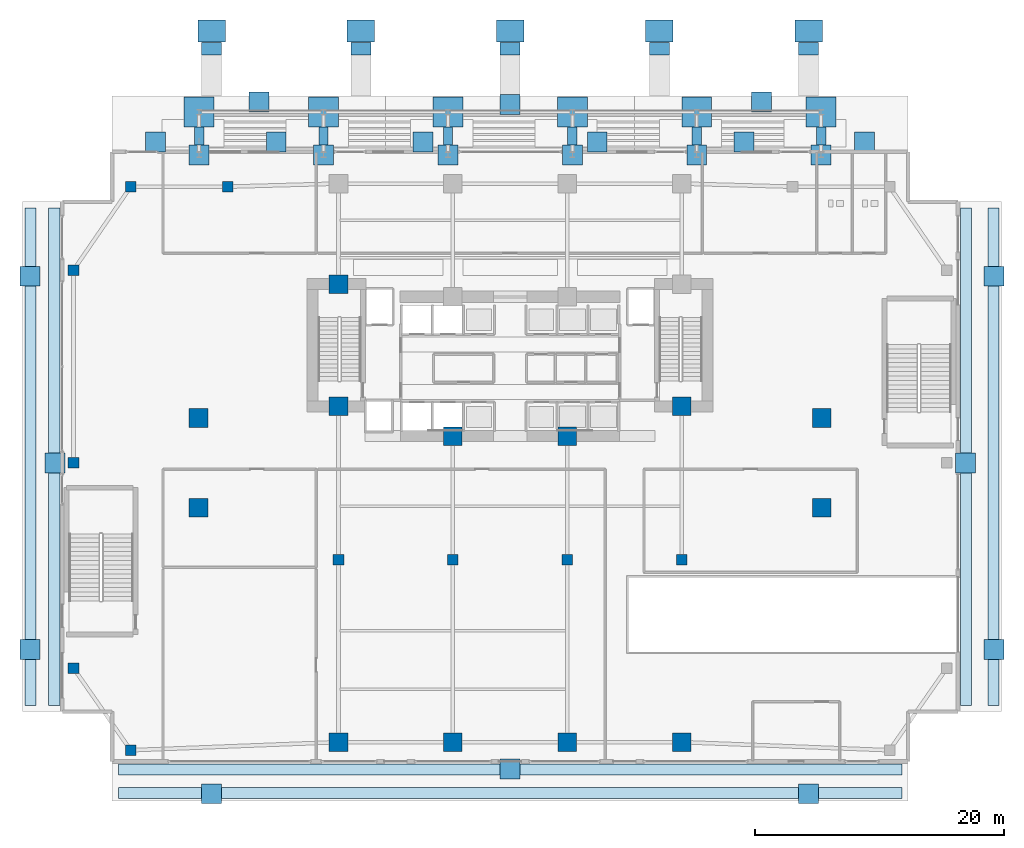
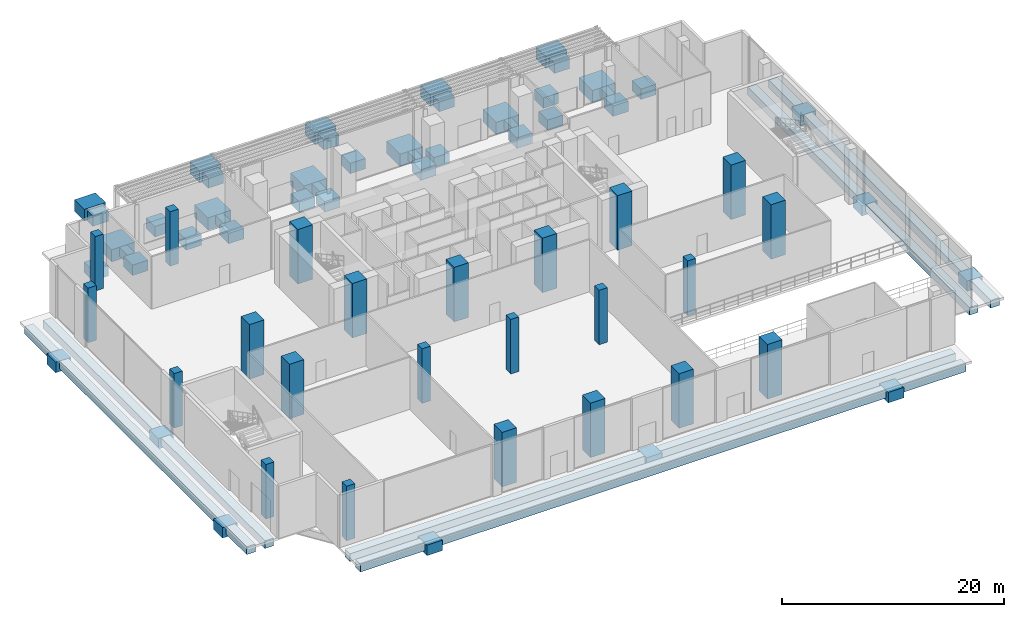
# One storey, part 1 of 39: 52 footings, 23 columns.
"""IFC4 building model written with IfcOpenShell, lengths in metres."""

import ifcopenshell
import ifcopenshell.guid

model = None  # the IFC model being written
_history = None  # IfcOwnerHistory: only IFC2X3 demands one
_inside = {}  # id of a spatial element -> (the spatial element, [elements in it])
_under = {}  # id of a project, library or spatial element -> (it, [spatial elements below it])
_declared = {}  # id of a project -> (the project, [libraries it declares])
_typed = {}  # id of a type object -> (the type object, [elements of that type])
_made_of = {}  # id of a material, layer set ... -> (it, [elements and type objects made of it])


def new_model(schema):
    """Start an empty IFC model of exactly this schema.

    Asked for "IFC4X3", IfcOpenShell would pick the latest addendum, in which some entities
    have other attributes; the version numbers below select the first issue.
    IFC2X3 requires an IfcOwnerHistory on every rooted entity: one is made here for all.
    """
    global model, _history
    if schema == "IFC4X3":
        model = ifcopenshell.file(schema_version=(4, 3, 0, 0))
    else:
        model = ifcopenshell.file(schema=schema)
    _inside.clear()
    _under.clear()
    _declared.clear()
    _typed.clear()
    _made_of.clear()
    _history = None
    if model.schema == "IFC2X3":
        org = make("IfcOrganization", Name="unknown")
        user = make(
            "IfcPersonAndOrganization",
            ThePerson=make("IfcPerson", FamilyName="unknown"),
            TheOrganization=org,
        )
        app = make(
            "IfcApplication",
            ApplicationDeveloper=org,
            Version="unknown",
            ApplicationFullName="unknown",
            ApplicationIdentifier="unknown",
        )
        _history = make(
            "IfcOwnerHistory",
            OwningUser=user,
            OwningApplication=app,
            ChangeAction="ADDED",
            CreationDate=0,
        )
    return model


def make(cls, **values):
    """One entity of the class cls with the attributes given. An attribute that is None is left unset."""
    return model.create_entity(
        cls, **{name: value for name, value in values.items() if value is not None}
    )


def rooted(cls, **values):
    """An entity with a GlobalId (a new one), such as an element, a storey or a relation."""
    return make(cls, GlobalId=ifcopenshell.guid.new(), OwnerHistory=_history, **values)


def si_unit(unit_type, name, prefix=None):
    """IfcSIUnit, for example si_unit("LENGTHUNIT", "METRE", prefix="MILLI")."""
    return make("IfcSIUnit", UnitType=unit_type, Prefix=prefix, Name=name)


def assignment(units):
    """IfcUnitAssignment: the units of a project."""
    return None if units is None else make("IfcUnitAssignment", Units=units)


def point(xyz):
    """IfcCartesianPoint."""
    return None if xyz is None else make("IfcCartesianPoint", Coordinates=xyz)


def direction(xyz):
    """IfcDirection."""
    return None if xyz is None else make("IfcDirection", DirectionRatios=xyz)


def frame(location, z_axis=None, x_axis=None):
    """IfcAxis2Placement3D, a coordinate frame: its origin and axes. An axis left out is left unset."""
    return make(
        "IfcAxis2Placement3D",
        Location=point(location),
        Axis=direction(z_axis),
        RefDirection=direction(x_axis),
    )


def frame_2d(location, x_axis=None):
    """IfcAxis2Placement2D, a coordinate frame in the plane: its origin and x axis."""
    return make(
        "IfcAxis2Placement2D", Location=point(location), RefDirection=direction(x_axis)
    )


def origin():
    """The frame at (0, 0, 0) with its axes left unset."""
    return frame((0.0, 0.0, 0.0))


def origin_2d():
    """The frame at (0, 0) in the plane with its x axis left unset."""
    return frame_2d((0.0, 0.0))


def place(relative_to, where):
    """IfcLocalPlacement: puts the frame where relative to a parent placement (None: the world)."""
    return make(
        "IfcLocalPlacement", PlacementRelTo=relative_to, RelativePlacement=where
    )


def context(
    kind, dimensions, precision=None, world=None, true_north=None, identifier=None
):
    """IfcGeometricRepresentationContext, for example the 3D "Model" context."""
    return make(
        "IfcGeometricRepresentationContext",
        ContextIdentifier=identifier,
        ContextType=kind,
        CoordinateSpaceDimension=dimensions,
        Precision=precision,
        WorldCoordinateSystem=world,
        TrueNorth=true_north,
    )


def subcontext(parent, identifier, kind, view, scale=None):
    """IfcGeometricRepresentationSubContext, for example "Body" below "Model"."""
    return make(
        "IfcGeometricRepresentationSubContext",
        ContextIdentifier=identifier,
        ContextType=kind,
        ParentContext=parent,
        TargetScale=scale,
        TargetView=view,
    )


def project(units=None, contexts=None):
    """IfcProject with its units and contexts."""
    return rooted(
        "IfcProject",
        Name="project",
        RepresentationContexts=contexts,
        UnitsInContext=assignment(units),
    )


def spatial(cls, under=None, at=None, **own):
    """A site, building, storey or space (cls), placed at a placement, below another one or the project."""
    s = rooted(cls, ObjectPlacement=at, **own)
    if under is not None:
        _under.setdefault(under.id(), (under, []))[1].append(s)
    return s


def polyline(points):
    """IfcPolyline through the points."""
    return make("IfcPolyline", Points=[point(p) for p in points])


def profile(cls, at=None, kind="AREA", **sizes):
    """A parametric profile (cls). Its sizes go by their IFC names, for example OverallWidth=200.0."""
    return make(cls, ProfileType=kind, Position=at, **sizes)


def rectangle(**sizes):
    """IfcRectangleProfileDef."""
    return profile("IfcRectangleProfileDef", **sizes)


def outline(outer, holes=None, kind="AREA"):
    """IfcArbitraryClosedProfileDef: a profile drawn as a closed curve; with holes, ...WithVoids."""
    if holes is None:
        return make("IfcArbitraryClosedProfileDef", ProfileType=kind, OuterCurve=outer)
    return make(
        "IfcArbitraryProfileDefWithVoids",
        ProfileType=kind,
        OuterCurve=outer,
        InnerCurves=holes,
    )


def extrude(swept, where, along, depth):
    """IfcExtrudedAreaSolid: the profile swept, set in the frame where, extruded along a direction by depth."""
    return make(
        "IfcExtrudedAreaSolid",
        SweptArea=swept,
        Position=where,
        ExtrudedDirection=direction(along),
        Depth=depth,
    )


def shape(context_of_items, identifier, shape_type, items):
    """IfcShapeRepresentation: the items that make up one representation, for example the "Body"."""
    return make(
        "IfcShapeRepresentation",
        ContextOfItems=context_of_items,
        RepresentationIdentifier=identifier,
        RepresentationType=shape_type,
        Items=items,
    )


def material(Name=None, Category=None):
    """IfcMaterial."""
    return make("IfcMaterial", Name=Name, Category=Category)


def layer(
    of_material, thickness, ventilated=None, Name=None, Category=None, Priority=None
):
    """IfcMaterialLayer: one layer of a wall or slab, of a material (None: an air gap)."""
    return make(
        "IfcMaterialLayer",
        Material=of_material,
        LayerThickness=thickness,
        IsVentilated=ventilated,
        Name=Name,
        Category=Category,
        Priority=Priority,
    )


def layer_set(layers, Name=None):
    """IfcMaterialLayerSet."""
    return make("IfcMaterialLayerSet", MaterialLayers=layers, LayerSetName=Name)


def material_profile(
    of_material, cross_section, Name=None, Category=None, Priority=None
):
    """IfcMaterialProfile: a cross section and its material."""
    return make(
        "IfcMaterialProfile",
        Name=Name,
        Material=of_material,
        Profile=cross_section,
        Priority=Priority,
        Category=Category,
    )


def profile_set(profiles, Name=None, composite=None):
    """IfcMaterialProfileSet."""
    return make(
        "IfcMaterialProfileSet",
        Name=Name,
        MaterialProfiles=profiles,
        CompositeProfile=composite,
    )


def made_of(thing, what):
    """Note that an element or type object is made of a material, layer set ...; save() writes the relation."""
    if what is not None:
        _made_of.setdefault(what.id(), (what, []))[1].append(thing)
    return thing


def type_object(cls, material=None, **own):
    """A type object (cls), such as IfcWallType, which elements share."""
    return made_of(rooted(cls, **own), material)


def element(
    cls,
    number,
    at=None,
    inside=None,
    cuts=None,
    type_object=None,
    material=None,
    context=None,
    identifier="Body",
    shape_type=None,
    held_by="IfcProductDefinitionShape",
    body=None,
    shapes=None,
    **own,
):
    """One element of the class cls, such as IfcWall. Its Tag is "e" and its number.

    at: its placement. inside: the storey or other place that contains it. cuts: it is an
    opening in that element (IfcRelVoidsElement). A single representation is given by context,
    identifier, shape_type and body (its items); several are given by shapes. held_by: the class
    of the entity that holds the representations. save() writes the other relations.
    """
    e = rooted(cls, Tag="e%d" % number, ObjectPlacement=at, **own)
    if body is not None:
        shapes = [shape(context, identifier, shape_type, body)]
    if shapes is not None:
        e.Representation = make(held_by, Representations=shapes)
    if inside is not None:
        _inside.setdefault(inside.id(), (inside, []))[1].append(e)
    if cuts is not None:
        rooted(
            "IfcRelVoidsElement", RelatingBuildingElement=cuts, RelatedOpeningElement=e
        )
    if type_object is not None:
        _typed.setdefault(type_object.id(), (type_object, []))[1].append(e)
    return made_of(e, material)


def aggregate(whole, parts):
    """IfcRelAggregates: a whole, such as a stair, and the parts it consists of."""
    return rooted("IfcRelAggregates", RelatingObject=whole, RelatedObjects=parts)


def save(model, path):
    """Write the relations noted so far, then the file.

    IfcRelAggregates (storeys below a building ...), IfcRelContainedInSpatialStructure (elements
    in a storey), IfcRelDefinesByType, IfcRelAssociatesMaterial and IfcRelDeclares: one each for
    every whole, place, type object, material and project.
    """
    for whole, parts in _under.values():
        aggregate(whole, parts)
    for where, things in _inside.values():
        rooted(
            "IfcRelContainedInSpatialStructure",
            RelatedElements=things,
            RelatingStructure=where,
        )
    for kind, things in _typed.values():
        rooted("IfcRelDefinesByType", RelatedObjects=things, RelatingType=kind)
    for what, things in _made_of.values():
        rooted("IfcRelAssociatesMaterial", RelatedObjects=things, RelatingMaterial=what)
    for by, libraries in _declared.values():
        rooted("IfcRelDeclares", RelatingContext=by, RelatedDefinitions=libraries)
    model.write(path)


model = new_model("IFC4")

# Units and contexts
model_context = context("Model", 3, precision=1e-05, world=origin(), true_north=direction((0.0, 1.0)))
body_context = subcontext(model_context, "Body", "Model", "MODEL_VIEW")
ifc_project = project(units=[si_unit("LENGTHUNIT", "METRE"), si_unit("AREAUNIT", "SQUARE_METRE"), si_unit("VOLUMEUNIT", "CUBIC_METRE"), si_unit("PLANEANGLEUNIT", "RADIAN"), si_unit("MASSUNIT", "GRAM", prefix="KILO")], contexts=[model_context])

# Site, building, storey
site_placement = place(None, origin())
site = spatial("IfcSite", under=ifc_project, at=site_placement, CompositionType="ELEMENT")
building_placement = place(site_placement, origin())
building = spatial("IfcBuilding", under=site, at=building_placement, Name="Zuhayl Quay Hotel", CompositionType="ELEMENT")
storey_placement = place(building_placement, origin())
storey = spatial("IfcBuildingStorey", under=building, at=storey_placement, Name="L00", CompositionType="ELEMENT", Elevation=0.0)

# Footings
ifc_material_1 = material(Name="Concrete C50/60", Category="concrete")
footing_type_1 = type_object("IfcFootingType", Name="FT_GBEAM_750X1000", PredefinedType="FOOTING_BEAM", material=ifc_material_1)
footing_1_placement = place(storey_placement, frame((0.0, 0.0, -1.27001953125)))
element("IfcFooting", 1, at=footing_1_placement, inside=storey, type_object=footing_type_1, Name="Colonnade Tie Ground Beam FB2-01", PredefinedType="FOOTING_BEAM", context=body_context, shape_type="SweptSolid", body=[
    extrude(outline(polyline([(-25.375, 25.550048828125), (-24.625, 25.550048828125), (-24.625, 27.0), (-25.375, 27.0), (-25.375, 25.550048828125)])), origin(), (0.0, 0.0, 1.0), 1.0),
])
footing_2_placement = place(storey_placement, frame((0.0, 0.0, -1.27001953125)))
element("IfcFooting", 2, at=footing_2_placement, inside=storey, type_object=footing_type_1, Name="Colonnade Tie Ground Beam FB2-02", PredefinedType="FOOTING_BEAM", context=body_context, shape_type="SweptSolid", body=[
    extrude(outline(polyline([(-15.375, 25.550048828125), (-14.625, 25.550048828125), (-14.625, 27.0), (-15.375, 27.0), (-15.375, 25.550048828125)])), origin(), (0.0, 0.0, 1.0), 1.0),
])
footing_3_placement = place(storey_placement, frame((0.0, 0.0, -1.27001953125)))
element("IfcFooting", 3, at=footing_3_placement, inside=storey, type_object=footing_type_1, Name="Colonnade Tie Ground Beam FB2-03", PredefinedType="FOOTING_BEAM", context=body_context, shape_type="SweptSolid", body=[
    extrude(outline(polyline([(-5.375, 25.550048828125), (-4.625, 25.550048828125), (-4.625, 27.0), (-5.375, 27.0), (-5.375, 25.550048828125)])), origin(), (0.0, 0.0, 1.0), 1.0),
])
footing_4_placement = place(storey_placement, frame((0.0, 0.0, -1.27001953125)))
element("IfcFooting", 4, at=footing_4_placement, inside=storey, type_object=footing_type_1, Name="Colonnade Tie Ground Beam FB2-04", PredefinedType="FOOTING_BEAM", context=body_context, shape_type="SweptSolid", body=[
    extrude(outline(polyline([(4.625, 25.550048828125), (5.375, 25.550048828125), (5.375, 27.0), (4.625, 27.0), (4.625, 25.550048828125)])), origin(), (0.0, 0.0, 1.0), 1.0),
])
footing_5_placement = place(storey_placement, frame((0.0, 0.0, -1.27001953125)))
element("IfcFooting", 5, at=footing_5_placement, inside=storey, type_object=footing_type_1, Name="Colonnade Tie Ground Beam FB2-05", PredefinedType="FOOTING_BEAM", context=body_context, shape_type="SweptSolid", body=[
    extrude(outline(polyline([(14.625, 25.550048828125), (15.375, 25.550048828125), (15.375, 27.0), (14.625, 27.0), (14.625, 25.550048828125)])), origin(), (0.0, 0.0, 1.0), 1.0),
])
footing_6_placement = place(storey_placement, frame((0.0, 0.0, -1.27001953125)))
element("IfcFooting", 6, at=footing_6_placement, inside=storey, type_object=footing_type_1, Name="Colonnade Tie Ground Beam FB2-06", PredefinedType="FOOTING_BEAM", context=body_context, shape_type="SweptSolid", body=[
    extrude(outline(polyline([(24.625, 25.550048828125), (25.375, 25.550048828125), (25.375, 27.0), (24.625, 27.0), (24.625, 25.550048828125)])), origin(), (0.0, 0.0, 1.0), 1.0),
])
ifc_material_2 = material(Name="Concrete C60/75", Category="concrete")
ifc_layer_1 = layer(ifc_material_2, 1.14990234375, Name="Concrete C60/75", Category="concrete")
ifc_layer_set_1 = layer_set([ifc_layer_1], Name="Concrete C60/75")
footing_type_2 = type_object("IfcFootingType", Name="FT_PAD_1600", PredefinedType="PAD_FOOTING", material=ifc_layer_set_1)
for number, where, z_axis, x_axis, name in (
    (7, (-25.0, 24.75, -1.419921875), (0.0, 0.0, 1.0), (1.0, 0.0, 0.0), "Waterfront Pilaster Pad Footing PF1-01"),
    (8, (-15.0, 24.75, -1.419921875), (0.0, 0.0, 1.0), (1.0, 0.0, 0.0), "Waterfront Pilaster Pad Footing PF1-02"),
    (9, (-5.0, 24.75, -1.419921875), (0.0, 0.0, 1.0), (1.0, 0.0, 0.0), "Waterfront Pilaster Pad Footing PF1-03"),
    (10, (5.0, 24.75, -1.419921875), (0.0, 0.0, 1.0), (1.0, 0.0, 0.0), "Waterfront Pilaster Pad Footing PF1-04"),
    (11, (15.0, 24.75, -1.419921875), (0.0, 0.0, 1.0), (1.0, 0.0, 0.0), "Waterfront Pilaster Pad Footing PF1-05"),
    (12, (25.0, 24.75, -1.419921875), (0.0, 0.0, 1.0), (1.0, 0.0, 0.0), "Waterfront Pilaster Pad Footing PF1-06"),
    (13, (-28.5, 25.800048828125, -1.419921875), (0.0, 0.0, 1.0), (1.0, 0.0, 0.0), "Promenade Apron Support Pad APF_NW1"),
    (14, (-18.800048828125, 25.800048828125, -1.419921875), (0.0, 0.0, 1.0), (1.0, 0.0, 0.0), "Promenade Apron Support Pad APF_NW2"),
    (15, (-20.199951171875, 29.0, -1.419921875), (0.0, 0.0, 1.0), (1.0, 0.0, 0.0), "Promenade Apron Support Pad APF_NW3"),
    (16, (-7.0, 25.800048828125, -1.419921875), (0.0, 0.0, 1.0), (1.0, 0.0, 0.0), "Promenade Apron Support Pad APF_NC1"),
    (17, (7.0, 25.800048828125, -1.419921875), (0.0, 0.0, 1.0), (1.0, 0.0, 0.0), "Promenade Apron Support Pad APF_NC2"),
    (18, (0.0, 28.800048828125, -1.419921875), (0.0, 0.0, 1.0), (1.0, 0.0, 0.0), "Promenade Apron Support Pad APF_NC3"),
    (19, (18.800048828125, 25.800048828125, -1.419921875), (0.0, 0.0, 1.0), (1.0, 0.0, 0.0), "Promenade Apron Support Pad APF_NE1"),
    (20, (28.5, 25.800048828125, -1.419921875), (0.0, 0.0, 1.0), (1.0, 0.0, 0.0), "Promenade Apron Support Pad APF_NE2"),
    (21, (20.199951171875, 29.0, -1.419921875), (0.0, 0.0, 1.0), (1.0, 0.0, 0.0), "Promenade Apron Support Pad APF_NE3"),
    (22, (-24.0, -26.60009765625, -1.419921875), (0.0, 0.0, 1.0), (1.0, 0.0, 0.0), "Promenade Apron Support Pad APF_S1"),
    (23, (24.0, -26.60009765625, -1.419921875), (0.0, 0.0, 1.0), (1.0, 0.0, 0.0), "Promenade Apron Support Pad APF_S2"),
    (24, (0.0, -24.60009765625, -1.419921875), (0.0, 0.0, 1.0), (1.0, 0.0, 0.0), "Promenade Apron Support Pad APF_S3"),
    (25, (-38.60009765625, -15.0, -1.419921875), (0.0, 0.0, 1.0), (1.0, 0.0, 0.0), "Promenade Apron Support Pad APF_W1"),
    (26, (-38.60009765625, 15.0, -1.419921875), (0.0, 0.0, 1.0), (1.0, 0.0, 0.0), "Promenade Apron Support Pad APF_W2"),
    (27, (-36.60009765625, 0.0, -1.419921875), (0.0, 0.0, 1.0), (1.0, 0.0, 0.0), "Promenade Apron Support Pad APF_W3"),
    (28, (38.89990234375, -15.0, -1.419921875), (0.0, 0.0, 1.0), (1.0, 0.0, 0.0), "Promenade Apron Support Pad APF_E1"),
    (29, (38.89990234375, 15.0, -1.419921875), (0.0, 0.0, 1.0), (1.0, 0.0, 0.0), "Promenade Apron Support Pad APF_E2"),
    (30, (36.60009765625, 0.0, -1.419921875), (0.0, 0.0, 1.0), (1.0, 0.0, 0.0), "Promenade Apron Support Pad APF_E3"),
):
    element("IfcFooting", number, at=place(storey_placement, frame(where, z_axis=z_axis, x_axis=x_axis)), inside=storey, type_object=footing_type_2, Name=name, PredefinedType="PAD_FOOTING", context=body_context, shape_type="SweptSolid", body=[
        extrude(rectangle(XDim=1.60009765625, YDim=1.60009765625, at=origin_2d()), origin(), (0.0, 0.0, 1.0), 1.14990234375),
    ])
for number, where, z_axis, x_axis, name in (
    (31, (-24.0, 33.300048828125, -1.71484375), (0.0, 0.0, 1.0), (1.0, 0.0, 0.0), "Promenade Ramp Heel Support Pad AR1"),
    (32, (-12.0, 33.300048828125, -1.71484375), (0.0, 0.0, 1.0), (1.0, 0.0, 0.0), "Promenade Ramp Heel Support Pad AR2"),
    (33, (0.0, 33.300048828125, -1.71484375), (0.0, 0.0, 1.0), (1.0, 0.0, 0.0), "Promenade Ramp Heel Support Pad AR3"),
    (34, (12.0, 33.300048828125, -1.71484375), (0.0, 0.0, 1.0), (1.0, 0.0, 0.0), "Promenade Ramp Heel Support Pad AR4"),
    (35, (24.0, 33.300048828125, -1.71484375), (0.0, 0.0, 1.0), (1.0, 0.0, 0.0), "Promenade Ramp Heel Support Pad AR5"),
):
    element("IfcFooting", number, at=place(storey_placement, frame(where, z_axis=z_axis, x_axis=x_axis)), inside=storey, type_object=footing_type_2, Name=name, PredefinedType="PAD_FOOTING", context=body_context, shape_type="SweptSolid", body=[
        extrude(rectangle(XDim=1.60009765625, YDim=1.0, at=origin_2d()), origin(), (0.0, 0.0, 1.0), 1.14990234375),
    ])
ifc_layer_2 = layer(ifc_material_2, 1.35009765625, Name="Concrete C60/75", Category="concrete")
ifc_layer_set_2 = layer_set([ifc_layer_2], Name="Concrete C60/75")
footing_type_3 = type_object("IfcFootingType", Name="FT_PCAP_2400", PredefinedType="PILE_CAP", material=ifc_layer_set_2)
for number, where, z_axis, x_axis, name in (
    (36, (-25.0, 28.199951171875, -1.6201171875), (0.0, 0.0, 1.0), (1.0, 0.0, 0.0), "Waterfront Colonnade Cap Footing PC1-01"),
    (37, (-15.0, 28.199951171875, -1.6201171875), (0.0, 0.0, 1.0), (1.0, 0.0, 0.0), "Waterfront Colonnade Cap Footing PC1-02"),
    (38, (-5.0, 28.199951171875, -1.6201171875), (0.0, 0.0, 1.0), (1.0, 0.0, 0.0), "Waterfront Colonnade Cap Footing PC1-03"),
    (39, (5.0, 28.199951171875, -1.6201171875), (0.0, 0.0, 1.0), (1.0, 0.0, 0.0), "Waterfront Colonnade Cap Footing PC1-04"),
    (40, (15.0, 28.199951171875, -1.6201171875), (0.0, 0.0, 1.0), (1.0, 0.0, 0.0), "Waterfront Colonnade Cap Footing PC1-05"),
    (41, (25.0, 28.199951171875, -1.6201171875), (0.0, 0.0, 1.0), (1.0, 0.0, 0.0), "Waterfront Colonnade Cap Footing PC1-06"),
):
    element("IfcFooting", number, at=place(storey_placement, frame(where, z_axis=z_axis, x_axis=x_axis)), inside=storey, type_object=footing_type_3, Name=name, PredefinedType="PILE_CAP", context=body_context, shape_type="SweptSolid", body=[
        extrude(rectangle(XDim=2.39990234375, YDim=2.39990234375, at=origin_2d()), origin(), (0.0, 0.0, 1.0), 1.35009765625),
    ])
footing_7_placement = place(storey_placement, frame((0.0, 0.0, -1.64990234375)))
element("IfcFooting", 42, at=footing_7_placement, inside=storey, type_object=footing_type_3, Name="Promenade Ramp Curb Foundation Block AR1", PredefinedType="PILE_CAP", context=body_context, shape_type="SweptSolid", body=[
    extrude(outline(polyline([(-25.10009765625, 33.820068359375), (-22.89990234375, 33.820068359375), (-22.89990234375, 35.60009765625), (-25.10009765625, 35.60009765625), (-25.10009765625, 33.820068359375)])), origin(), (0.0, 0.0, 1.0), 1.289794921875),
])
footing_8_placement = place(storey_placement, frame((0.0, 0.0, -1.64990234375)))
element("IfcFooting", 43, at=footing_8_placement, inside=storey, type_object=footing_type_3, Name="Promenade Ramp Curb Foundation Block AR2", PredefinedType="PILE_CAP", context=body_context, shape_type="SweptSolid", body=[
    extrude(outline(polyline([(-13.10009765625, 33.820068359375), (-10.89990234375, 33.820068359375), (-10.89990234375, 35.60009765625), (-13.10009765625, 35.60009765625), (-13.10009765625, 33.820068359375)])), origin(), (0.0, 0.0, 1.0), 1.289794921875),
])
footing_9_placement = place(storey_placement, frame((0.0, 0.0, -1.64990234375)))
element("IfcFooting", 44, at=footing_9_placement, inside=storey, type_object=footing_type_3, Name="Promenade Ramp Curb Foundation Block AR3", PredefinedType="PILE_CAP", context=body_context, shape_type="SweptSolid", body=[
    extrude(outline(polyline([(-1.10009765625, 33.820068359375), (1.10009765625, 33.820068359375), (1.10009765625, 35.60009765625), (-1.10009765625, 35.60009765625), (-1.10009765625, 33.820068359375)])), origin(), (0.0, 0.0, 1.0), 1.289794921875),
])
footing_10_placement = place(storey_placement, frame((0.0, 0.0, -1.64990234375)))
element("IfcFooting", 45, at=footing_10_placement, inside=storey, type_object=footing_type_3, Name="Promenade Ramp Curb Foundation Block AR4", PredefinedType="PILE_CAP", context=body_context, shape_type="SweptSolid", body=[
    extrude(outline(polyline([(10.89990234375, 33.820068359375), (13.10009765625, 33.820068359375), (13.10009765625, 35.60009765625), (10.89990234375, 35.60009765625), (10.89990234375, 33.820068359375)])), origin(), (0.0, 0.0, 1.0), 1.289794921875),
])
footing_11_placement = place(storey_placement, frame((0.0, 0.0, -1.64990234375)))
element("IfcFooting", 46, at=footing_11_placement, inside=storey, type_object=footing_type_3, Name="Promenade Ramp Curb Foundation Block AR5", PredefinedType="PILE_CAP", context=body_context, shape_type="SweptSolid", body=[
    extrude(outline(polyline([(22.89990234375, 33.820068359375), (25.10009765625, 33.820068359375), (25.10009765625, 35.60009765625), (22.89990234375, 35.60009765625), (22.89990234375, 33.820068359375)])), origin(), (0.0, 0.0, 1.0), 1.289794921875),
])
footing_type_4 = type_object("IfcFootingType", Name="FT_STRIP_APRON_900", PredefinedType="STRIP_FOOTING", material=ifc_material_1)
footing_12_placement = place(storey_placement, frame((0.0, 0.0, -1.1201171875)))
element("IfcFooting", 47, at=footing_12_placement, inside=storey, type_object=footing_type_4, Name="Promenade Apron Strip Footing SF2_S1", PredefinedType="STRIP_FOOTING", context=body_context, shape_type="SweptSolid", body=[
    extrude(outline(polyline([(-31.5, -27.0), (31.5, -27.0), (31.5, -26.10009765625), (-31.5, -26.10009765625), (-31.5, -27.0)])), origin(), (0.0, 0.0, 1.0), 0.85009765625),
])
footing_13_placement = place(storey_placement, frame((0.0, 0.0, -1.1201171875)))
element("IfcFooting", 48, at=footing_13_placement, inside=storey, type_object=footing_type_4, Name="Promenade Apron Strip Footing SF2_S2", PredefinedType="STRIP_FOOTING", context=body_context, shape_type="SweptSolid", body=[
    extrude(outline(polyline([(-31.5, -25.10009765625), (31.5, -25.10009765625), (31.5, -24.199951171875), (-31.5, -24.199951171875), (-31.5, -25.10009765625)])), origin(), (0.0, 0.0, 1.0), 0.85009765625),
])
footing_14_placement = place(storey_placement, frame((0.0, 0.0, -1.1201171875)))
element("IfcFooting", 49, at=footing_14_placement, inside=storey, type_object=footing_type_4, Name="Promenade Apron Strip Footing SF2_W1", PredefinedType="STRIP_FOOTING", context=body_context, shape_type="SweptSolid", body=[
    extrude(outline(polyline([(-39.0, -19.5), (-38.10009765625, -19.5), (-38.10009765625, 20.5), (-39.0, 20.5), (-39.0, -19.5)])), origin(), (0.0, 0.0, 1.0), 0.85009765625),
])
footing_15_placement = place(storey_placement, frame((0.0, 0.0, -1.1201171875)))
element("IfcFooting", 50, at=footing_15_placement, inside=storey, type_object=footing_type_4, Name="Promenade Apron Strip Footing SF2_W2", PredefinedType="STRIP_FOOTING", context=body_context, shape_type="SweptSolid", body=[
    extrude(outline(polyline([(-37.10009765625, -19.5), (-36.199951171875, -19.5), (-36.199951171875, 20.5), (-37.10009765625, 20.5), (-37.10009765625, -19.5)])), origin(), (0.0, 0.0, 1.0), 0.85009765625),
])
footing_16_placement = place(storey_placement, frame((0.0, 0.0, -1.1201171875)))
element("IfcFooting", 51, at=footing_16_placement, inside=storey, type_object=footing_type_4, Name="Promenade Apron Strip Footing SF2_E1", PredefinedType="STRIP_FOOTING", context=body_context, shape_type="SweptSolid", body=[
    extrude(outline(polyline([(36.199951171875, -19.5), (37.10009765625, -19.5), (37.10009765625, 20.5), (36.199951171875, 20.5), (36.199951171875, -19.5)])), origin(), (0.0, 0.0, 1.0), 0.85009765625),
])
footing_17_placement = place(storey_placement, frame((0.0, 0.0, -1.1201171875)))
element("IfcFooting", 52, at=footing_17_placement, inside=storey, type_object=footing_type_4, Name="Promenade Apron Strip Footing SF2_E2", PredefinedType="STRIP_FOOTING", context=body_context, shape_type="SweptSolid", body=[
    extrude(outline(polyline([(38.39990234375, -19.5), (39.300048828125, -19.5), (39.300048828125, 20.5), (38.39990234375, 20.5), (38.39990234375, -19.5)])), origin(), (0.0, 0.0, 1.0), 0.85009765625),
])

# Columns
ifc_material_3 = material(Name="Concrete C70/85", Category="concrete")
ifc_material_profile_1 = material_profile(ifc_material_3, rectangle(XDim=1.5, YDim=1.5, at=origin_2d()), Name="RC1500X1500")
ifc_profile_set_1 = profile_set([ifc_material_profile_1], Name="Concrete C70/85")
column_type_1 = type_object("IfcColumnType", Name="CL_CC1_1500", PredefinedType="COLUMN", material=ifc_profile_set_1)
for number, where, z_axis, x_axis, name in (
    (53, (-13.800048828125, 14.35009765625, 0.0), (0.0, 0.0, 1.0), (1.0, 0.0, 0.0), "L00 Core Column CC_NW"),
    (54, (-13.800048828125, 4.550048828125, 0.0), (0.0, 0.0, 1.0), (1.0, 0.0, 0.0), "L00 Core Column CC_SW"),
    (55, (-4.60009765625, 2.14990234375, 0.0), (0.0, 0.0, 1.0), (1.0, 0.0, 0.0), "L00 Core Column CC_CSW"),
    (56, (4.60009765625, 2.14990234375, 0.0), (0.0, 0.0, 1.0), (1.0, 0.0, 0.0), "L00 Core Column CC_CSE"),
    (57, (13.800048828125, 4.550048828125, 0.0), (0.0, 0.0, 1.0), (1.0, 0.0, 0.0), "L00 Core Column CC_SE"),
):
    element("IfcColumn", number, at=place(storey_placement, frame(where, z_axis=z_axis, x_axis=x_axis)), inside=storey, type_object=column_type_1, Name=name, PredefinedType="COLUMN", context=body_context, shape_type="SweptSolid", body=[
        extrude(rectangle(XDim=1.5, YDim=1.5, at=origin_2d()), origin(), (0.0, 0.0, 1.0), 6.0),
    ])
ifc_material_profile_2 = material_profile(ifc_material_3, rectangle(XDim=1.5, YDim=1.5, at=origin_2d()), Name="RC1500X1500")
ifc_profile_set_2 = profile_set([ifc_material_profile_2], Name="Concrete C70/85")
column_type_2 = type_object("IfcColumnType", Name="CL_MC1_1500", PredefinedType="COLUMN", material=ifc_profile_set_2)
for number, where, z_axis, x_axis, name in (
    (58, (-13.800048828125, -22.449951171875, 0.0), (0.0, 0.0, 1.0), (1.0, 0.0, 0.0), "L00 Mega-Column MC_S1"),
    (59, (-4.60009765625, -22.449951171875, 0.0), (0.0, 0.0, 1.0), (1.0, 0.0, 0.0), "L00 Mega-Column MC_S2"),
    (60, (4.60009765625, -22.449951171875, 0.0), (0.0, 0.0, 1.0), (1.0, 0.0, 0.0), "L00 Mega-Column MC_S3"),
    (61, (13.800048828125, -22.449951171875, 0.0), (0.0, 0.0, 1.0), (1.0, 0.0, 0.0), "L00 Mega-Column MC_S4"),
    (62, (-25.050048828125, -3.60009765625, 0.0), (0.0, 0.0, 1.0), (1.0, 0.0, 0.0), "L00 Mega-Column MC_W1"),
    (63, (-25.050048828125, 3.60009765625, 0.0), (0.0, 0.0, 1.0), (1.0, 0.0, 0.0), "L00 Mega-Column MC_W2"),
    (64, (25.050048828125, -3.60009765625, 0.0), (0.0, 0.0, 1.0), (1.0, 0.0, 0.0), "L00 Mega-Column MC_E1"),
    (65, (25.050048828125, 3.60009765625, 0.0), (0.0, 0.0, 1.0), (1.0, 0.0, 0.0), "L00 Mega-Column MC_E2"),
):
    element("IfcColumn", number, at=place(storey_placement, frame(where, z_axis=z_axis, x_axis=x_axis)), inside=storey, type_object=column_type_2, Name=name, PredefinedType="COLUMN", context=body_context, shape_type="SweptSolid", body=[
        extrude(rectangle(XDim=1.5, YDim=1.5, at=origin_2d()), origin(), (0.0, 0.0, 1.0), 6.0),
    ])
ifc_material_profile_3 = material_profile(ifc_material_1, rectangle(XDim=0.85009765625, YDim=0.85009765625, at=origin_2d()), Name="RC850X850")
ifc_profile_set_3 = profile_set([ifc_material_profile_3], Name="Concrete C50/60")
column_type_3 = type_object("IfcColumnType", Name="CL_PC1_850", PredefinedType="COLUMN", material=ifc_profile_set_3)
for number, where, z_axis, x_axis, name in (
    (66, (-30.5, -23.10009765625, 0.0), (0.0, 0.0, 1.0), (1.0, 0.0, 0.0), "L00 Podium Column PC_SW"),
    (67, (-30.5, 22.199951171875, 0.0), (0.0, 0.0, 1.0), (1.0, 0.0, 0.0), "L00 Podium Column PC_NW"),
    (68, (-35.10009765625, -16.5, 0.0), (0.0, 0.0, 1.0), (1.0, 0.0, 0.0), "L00 Podium Column PC_W1"),
    (69, (-35.10009765625, 0.0, 0.0), (0.0, 0.0, 1.0), (1.0, 0.0, 0.0), "L00 Podium Column PC_W2"),
    (70, (-35.10009765625, 15.5, 0.0), (0.0, 0.0, 1.0), (1.0, 0.0, 0.0), "L00 Podium Column PC_W3"),
    (71, (-22.699951171875, 22.199951171875, 0.0), (0.0, 0.0, 1.0), (1.0, 0.0, 0.0), "L00 Podium Column PC_N1"),
    (72, (-13.800048828125, -7.800048828125, 0.0), (0.0, 0.0, 1.0), (1.0, 0.0, 0.0), "L00 Podium Column BC_C1"),
    (73, (-4.60009765625, -7.800048828125, 0.0), (0.0, 0.0, 1.0), (1.0, 0.0, 0.0), "L00 Podium Column BC_C2"),
    (74, (4.60009765625, -7.800048828125, 0.0), (0.0, 0.0, 1.0), (1.0, 0.0, 0.0), "L00 Podium Column BC_C3"),
    (75, (13.800048828125, -7.800048828125, 0.0), (0.0, 0.0, 1.0), (1.0, 0.0, 0.0), "L00 Podium Column BC_C4"),
):
    element("IfcColumn", number, at=place(storey_placement, frame(where, z_axis=z_axis, x_axis=x_axis)), inside=storey, type_object=column_type_3, Name=name, PredefinedType="COLUMN", context=body_context, shape_type="SweptSolid", body=[
        extrude(rectangle(XDim=0.85009765625, YDim=0.85009765625, at=origin_2d()), origin(), (0.0, 0.0, 1.0), 6.0),
    ])

save(model, "model.ifc")
